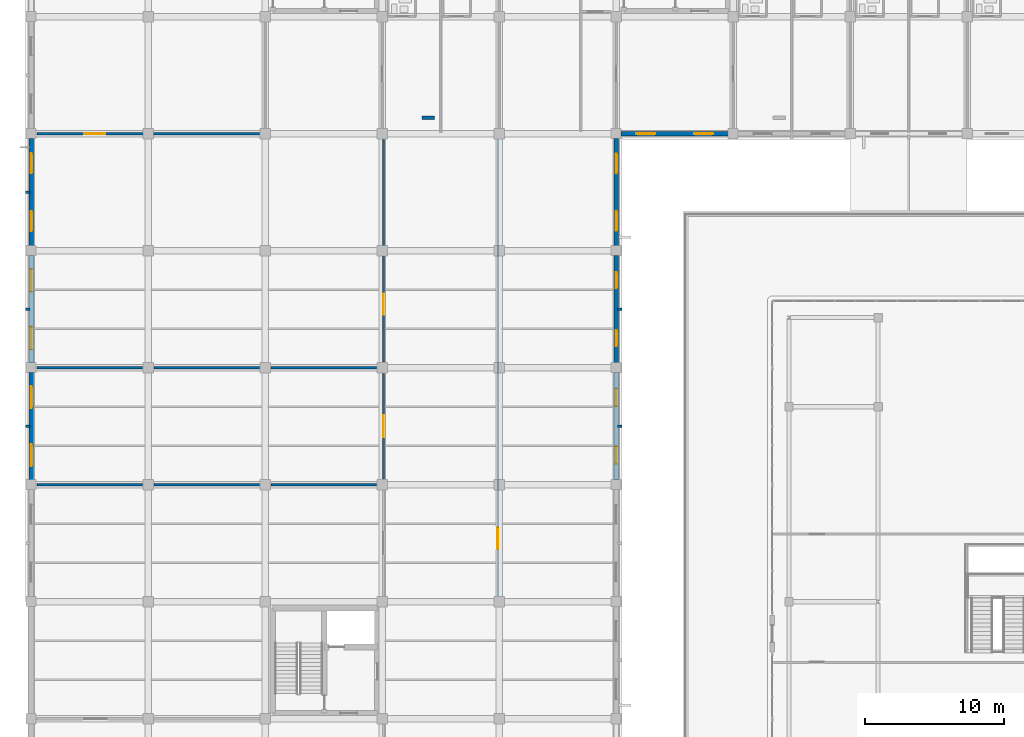
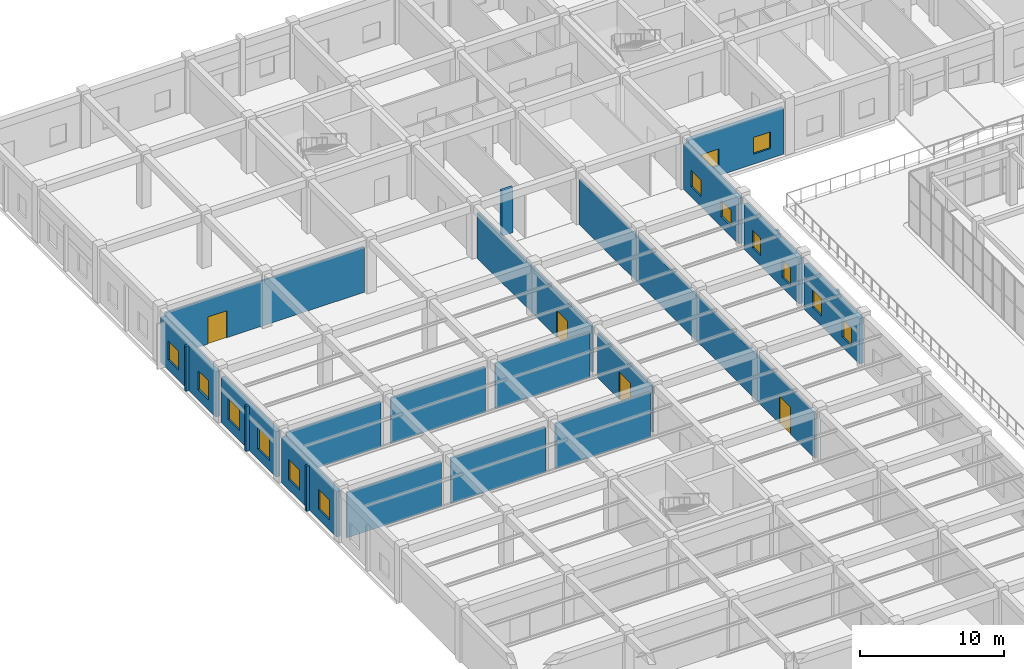
# One storey, part 125 of 158: 23 walls, 14 windows, 4 doors, 18 openings.
"""IFC4 building model written with IfcOpenShell, lengths in metres."""

from ifc_helpers import new_model, si_unit, direction, frame, frame_2d, origin, place, context, subcontext, project, spatial, rectangle, extrude, material, layer, layer_set, type_object, element, fill, save


model = new_model("IFC4")

# Units and contexts
model_context = context("Model", 3, precision=1e-05, world=origin(), true_north=direction((0.0, 1.0)))
body_context = subcontext(model_context, "Body", "Model", "MODEL_VIEW")
ifc_project = project(units=[si_unit("LENGTHUNIT", "METRE"), si_unit("AREAUNIT", "SQUARE_METRE"), si_unit("VOLUMEUNIT", "CUBIC_METRE"), si_unit("PLANEANGLEUNIT", "RADIAN"), si_unit("MASSUNIT", "GRAM", prefix="KILO")], contexts=[model_context])

# Site, building, storey
site_placement = place(None, origin())
site = spatial("IfcSite", under=ifc_project, at=site_placement, CompositionType="ELEMENT")
building_placement = place(site_placement, origin())
building = spatial("IfcBuilding", under=site, at=building_placement, Name="Trelvath General Hospital", CompositionType="ELEMENT")
storey_placement = place(building_placement, frame((0.0, 0.0, 8.10009765625)))
storey = spatial("IfcBuildingStorey", under=building, at=storey_placement, Name="L02", CompositionType="ELEMENT", Elevation=8.10009765625)

# Walls
ifc_material_1 = material(Name="Precast concrete C40/50", Category="concrete")
ifc_layer_1 = layer(ifc_material_1, 0.199951171875)
ifc_layer_set_1 = layer_set([ifc_layer_1], Name="Precast concrete C40/50")
wall_type_1 = type_object("IfcWallType", Name="BriseSoleilRib 200", PredefinedType="ELEMENTEDWALL", material=ifc_layer_set_1)
for number, where, z_axis, x_axis, name in (
    (1, (-0.074951171875, 71.39990234375, 0.0), (0.0, 0.0, 1.0), (-1.0, 0.0, 0.0), "Precast Concrete Brise-Soleil Rib Fin L02-166"),
    (2, (-0.074951171875, 79.800048828125, 0.0), (0.0, 0.0, 1.0), (-1.0, 0.0, 0.0), "Precast Concrete Brise-Soleil Rib Fin L02-167"),
    (3, (-0.074951171875, 88.199951171875, 0.0), (0.0, 0.0, 1.0), (-1.0, 0.0, 0.0), "Precast Concrete Brise-Soleil Rib Fin L02-168"),
    (4, (42.074951171875, 71.39990234375, 0.0), (0.0, 0.0, 1.0), (1.0, 0.0, 0.0), "Precast Concrete Brise-Soleil Rib Fin L02-184"),
    (5, (42.074951171875, 79.800048828125, 0.0), (0.0, 0.0, 1.0), (1.0, 0.0, 0.0), "Precast Concrete Brise-Soleil Rib Fin L02-185"),
):
    element("IfcWall", number, at=place(storey_placement, frame(where, z_axis=z_axis, x_axis=x_axis)), inside=storey, type_object=wall_type_1, Name=name, PredefinedType="ELEMENTEDWALL", context=body_context, shape_type="SweptSolid", body=[
        extrude(rectangle(XDim=0.340087890625, YDim=0.199951171875, at=frame_2d((0.169921875, 0.0))), origin(), (0.0, 0.0, 1.0), 3.83984375),
    ])

# Wall, opening, door
ifc_material_2 = material(Name="Gypsum acoustic steel-stud partition", Category="steel")
ifc_layer_2 = layer(ifc_material_2, 0.14990234375)
ifc_layer_set_2 = layer_set([ifc_layer_2], Name="Gypsum acoustic steel-stud partition")
wall_type_2 = type_object("IfcWallType", Name="ClinicalPartition 150", PredefinedType="PARTITIONING", material=ifc_layer_set_2)
wall_1_placement = place(storey_placement, frame((25.300048828125, 67.60009765625, 0.0), z_axis=(0.0, 0.0, 1.0), x_axis=(0.0, 1.0, 0.0)))
wall_1 = element("IfcWall", 6, at=wall_1_placement, inside=storey, type_object=wall_type_2, Name="OR-8 Partition L02-1032", PredefinedType="PARTITIONING", context=body_context, shape_type="SweptSolid", body=[
    extrude(rectangle(XDim=7.599853515625, YDim=0.14990234375, at=frame_2d((3.7998046875, 0.0))), origin(), (0.0, 0.0, 1.0), 3.83984375),
])
opening_1_placement = place(wall_1_placement, frame((3.0, 0.0, 0.0)))
opening_1 = element("IfcOpeningElement", 7, at=opening_1_placement, cuts=wall_1, Name="Opening D-2-0803", PredefinedType="OPENING", context=body_context, shape_type="SweptSolid", body=[
    extrude(rectangle(XDim=1.60009765625, YDim=2.35009765625, at=frame_2d((0.800048828125, 1.175048828125))), frame((0.0, 0.0849609375, 0.0), z_axis=(0.0, -1.0, 0.0), x_axis=(1.0, 0.0, 0.0)), (0.0, 0.0, 1.0), 0.169921875),
])
ifc_material_3 = material(Name="Hermetic stainless surgical sliding door")
door_type_1 = type_object("IfcDoorType", Name="Door ORHermetic 1600x2350", OperationType="SLIDING_TO_LEFT", PredefinedType="DOOR", material=ifc_material_3)
door_1_placement = place(opening_1_placement, origin())
door_1 = element("IfcDoor", 8, at=door_1_placement, inside=storey, type_object=door_type_1, Name="OR-8 Door L02-803", OperationType="SLIDING_TO_LEFT", OverallHeight=2.35009765625, OverallWidth=1.60009765625, PredefinedType="DOOR", context=body_context, shape_type="SweptSolid", body=[
    extrude(rectangle(XDim=1.60009765625, YDim=2.35009765625, at=frame_2d((0.800048828125, 1.175048828125))), frame((0.0, 0.02490234375, 0.0), z_axis=(0.0, -1.0, 0.0), x_axis=(1.0, 0.0, 0.0)), (0.0, 0.0, 1.0), 0.050048828125),
])
fill(opening_1, door_1)

# Walls
wall_2_placement = place(storey_placement, frame((0.419921875, 67.199951171875, 0.0), z_axis=(0.0, 0.0, 1.0), x_axis=(1.0, 0.0, 0.0)))
element("IfcWall", 9, at=wall_2_placement, inside=storey, type_object=wall_type_2, Name="Sterile OR Dividing Partition 1039", PredefinedType="PARTITIONING", context=body_context, shape_type="SweptSolid", body=[
    extrude(rectangle(XDim=7.580078125, YDim=0.14990234375, at=frame_2d((3.7900390625, 0.0))), origin(), (0.0, 0.0, 1.0), 3.83984375),
])
wall_3_placement = place(storey_placement, frame((8.800048828125, 67.199951171875, 0.0), z_axis=(0.0, 0.0, 1.0), x_axis=(1.0, 0.0, 0.0)))
element("IfcWall", 10, at=wall_3_placement, inside=storey, type_object=wall_type_2, Name="Sterile OR Dividing Partition 1040", PredefinedType="PARTITIONING", context=body_context, shape_type="SweptSolid", body=[
    extrude(rectangle(XDim=7.599853515625, YDim=0.14990234375, at=frame_2d((3.7998046875, 0.0))), origin(), (0.0, 0.0, 1.0), 3.83984375),
])
wall_4_placement = place(storey_placement, frame((17.199951171875, 67.199951171875, 0.0), z_axis=(0.0, 0.0, 1.0), x_axis=(1.0, 0.0, 0.0)))
element("IfcWall", 11, at=wall_4_placement, inside=storey, type_object=wall_type_2, Name="Sterile OR Dividing Partition 1041", PredefinedType="PARTITIONING", context=body_context, shape_type="SweptSolid", body=[
    extrude(rectangle(XDim=7.60009765625, YDim=0.14990234375, at=frame_2d((3.800048828125, 0.0))), origin(), (0.0, 0.0, 1.0), 3.83984375),
])
wall_5_placement = place(storey_placement, frame((0.419921875, 75.60009765625, 0.0), z_axis=(0.0, 0.0, 1.0), x_axis=(1.0, 0.0, 0.0)))
element("IfcWall", 12, at=wall_5_placement, inside=storey, type_object=wall_type_2, Name="Sterile OR Dividing Partition 1042", PredefinedType="PARTITIONING", context=body_context, shape_type="SweptSolid", body=[
    extrude(rectangle(XDim=7.580078125, YDim=0.14990234375, at=frame_2d((3.7900390625, 0.0))), origin(), (0.0, 0.0, 1.0), 3.83984375),
])
wall_6_placement = place(storey_placement, frame((8.800048828125, 75.60009765625, 0.0), z_axis=(0.0, 0.0, 1.0), x_axis=(1.0, 0.0, 0.0)))
element("IfcWall", 13, at=wall_6_placement, inside=storey, type_object=wall_type_2, Name="Sterile OR Dividing Partition 1043", PredefinedType="PARTITIONING", context=body_context, shape_type="SweptSolid", body=[
    extrude(rectangle(XDim=7.599853515625, YDim=0.14990234375, at=frame_2d((3.7998046875, 0.0))), origin(), (0.0, 0.0, 1.0), 3.83984375),
])
wall_7_placement = place(storey_placement, frame((17.199951171875, 75.60009765625, 0.0), z_axis=(0.0, 0.0, 1.0), x_axis=(1.0, 0.0, 0.0)))
element("IfcWall", 14, at=wall_7_placement, inside=storey, type_object=wall_type_2, Name="Sterile OR Dividing Partition 1044", PredefinedType="PARTITIONING", context=body_context, shape_type="SweptSolid", body=[
    extrude(rectangle(XDim=7.60009765625, YDim=0.14990234375, at=frame_2d((3.800048828125, 0.0))), origin(), (0.0, 0.0, 1.0), 3.83984375),
])

# Wall, opening, door
wall_8_placement = place(storey_placement, frame((25.300048828125, 76.0, 0.0), z_axis=(0.0, 0.0, 1.0), x_axis=(0.0, 1.0, 0.0)))
wall_8 = element("IfcWall", 15, at=wall_8_placement, inside=storey, type_object=wall_type_2, Name="ICU-1 Partition L02-1045", PredefinedType="PARTITIONING", context=body_context, shape_type="SweptSolid", body=[
    extrude(rectangle(XDim=16.0, YDim=0.14990234375, at=frame_2d((8.0, 0.0))), origin(), (0.0, 0.0, 1.0), 3.83984375),
])
opening_2_placement = place(wall_8_placement, frame((3.39990234375, 0.0, 0.0)))
opening_2 = element("IfcOpeningElement", 16, at=opening_2_placement, cuts=wall_8, Name="Opening D-2-0804", PredefinedType="OPENING", context=body_context, shape_type="SweptSolid", body=[
    extrude(rectangle(XDim=1.5, YDim=2.300048828125, at=frame_2d((0.75, 1.14990234375))), frame((0.0, 0.0849609375, 0.0), z_axis=(0.0, -1.0, 0.0), x_axis=(1.0, 0.0, 0.0)), (0.0, 0.0, 1.0), 0.169921875),
])
ifc_material_4 = material(Name="Glazed aluminium ICU sliding door", Category="aluminium")
door_type_2 = type_object("IfcDoorType", Name="Door ICUSliding 1500x2300", OperationType="SLIDING_TO_LEFT", PredefinedType="DOOR", material=ifc_material_4)
door_2_placement = place(opening_2_placement, origin())
door_2 = element("IfcDoor", 17, at=door_2_placement, inside=storey, type_object=door_type_2, Name="ICU-1 Door L02-804", OperationType="SLIDING_TO_LEFT", OverallHeight=2.300048828125, OverallWidth=1.5, PredefinedType="DOOR", context=body_context, shape_type="SweptSolid", body=[
    extrude(rectangle(XDim=1.5, YDim=2.300048828125, at=frame_2d((0.75, 1.14990234375))), frame((0.0, 0.02490234375, 0.0), z_axis=(0.0, -1.0, 0.0), x_axis=(1.0, 0.0, 0.0)), (0.0, 0.0, 1.0), 0.050048828125),
])
fill(opening_2, door_2)

wall_9_placement = place(storey_placement, frame((0.419921875, 92.39990234375, 0.0), z_axis=(0.0, 0.0, 1.0), x_axis=(1.0, 0.0, 0.0)))
wall_9 = element("IfcWall", 18, at=wall_9_placement, inside=storey, type_object=wall_type_2, Name="Pediatric ICU Partition L02-1046", PredefinedType="PARTITIONING", context=body_context, shape_type="SweptSolid", body=[
    extrude(rectangle(XDim=15.9599609375, YDim=0.14990234375, at=frame_2d((7.97998046875, 0.0))), origin(), (0.0, 0.0, 1.0), 3.83984375),
])
opening_3_placement = place(wall_9_placement, frame((3.39990234375, 0.0, 0.0)))
opening_3 = element("IfcOpeningElement", 19, at=opening_3_placement, cuts=wall_9, Name="Opening D-2-0805", PredefinedType="OPENING", context=body_context, shape_type="SweptSolid", body=[
    extrude(rectangle(XDim=1.5, YDim=2.300048828125, at=frame_2d((0.75, 1.14990234375))), frame((0.0, 0.0849609375, 0.0), z_axis=(0.0, -1.0, 0.0), x_axis=(1.0, 0.0, 0.0)), (0.0, 0.0, 1.0), 0.169921875),
])
door_3_placement = place(opening_3_placement, origin())
door_3 = element("IfcDoor", 20, at=door_3_placement, inside=storey, type_object=door_type_2, Name="Pediatric ICU Door L02-805", OperationType="SLIDING_TO_LEFT", OverallHeight=2.300048828125, OverallWidth=1.5, PredefinedType="DOOR", context=body_context, shape_type="SweptSolid", body=[
    extrude(rectangle(XDim=1.5, YDim=2.300048828125, at=frame_2d((0.75, 1.14990234375))), frame((0.0, 0.02490234375, 0.0), z_axis=(0.0, -1.0, 0.0), x_axis=(1.0, 0.0, 0.0)), (0.0, 0.0, 1.0), 0.050048828125),
])
fill(opening_3, door_3)

wall_10_placement = place(storey_placement, frame((33.5, 59.199951171875, 0.0), z_axis=(0.0, 0.0, 1.0), x_axis=(0.0, 1.0, 0.0)))
wall_10 = element("IfcWall", 21, at=wall_10_placement, inside=storey, type_object=wall_type_2, Name="ICU-2 Partition L02-1048", PredefinedType="PARTITIONING", context=body_context, shape_type="SweptSolid", body=[
    extrude(rectangle(XDim=32.800048828125, YDim=0.14990234375, at=frame_2d((16.39990234375, 0.0))), origin(), (0.0, 0.0, 1.0), 3.83984375),
])
opening_4_placement = place(wall_10_placement, frame((3.39990234375, 0.0, 0.0)))
opening_4 = element("IfcOpeningElement", 22, at=opening_4_placement, cuts=wall_10, Name="Opening D-2-0807", PredefinedType="OPENING", context=body_context, shape_type="SweptSolid", body=[
    extrude(rectangle(XDim=1.5, YDim=2.300048828125, at=frame_2d((0.75, 1.14990234375))), frame((0.0, 0.0849609375, 0.0), z_axis=(0.0, -1.0, 0.0), x_axis=(1.0, 0.0, 0.0)), (0.0, 0.0, 1.0), 0.169921875),
])
door_4_placement = place(opening_4_placement, origin())
door_4 = element("IfcDoor", 23, at=door_4_placement, inside=storey, type_object=door_type_2, Name="ICU-2 Door L02-807", OperationType="SLIDING_TO_LEFT", OverallHeight=2.300048828125, OverallWidth=1.5, PredefinedType="DOOR", context=body_context, shape_type="SweptSolid", body=[
    extrude(rectangle(XDim=1.5, YDim=2.300048828125, at=frame_2d((0.75, 1.14990234375))), frame((0.0, 0.02490234375, 0.0), z_axis=(0.0, -1.0, 0.0), x_axis=(1.0, 0.0, 0.0)), (0.0, 0.0, 1.0), 0.050048828125),
])
fill(opening_4, door_4)

# Wall, openings, windows
ifc_material_5 = material(Name="Concrete C35/45", Category="concrete")
ifc_layer_3 = layer(ifc_material_5, 0.320068359375)
ifc_layer_set_3 = layer_set([ifc_layer_3], Name="Concrete C35/45")
wall_type_3 = type_object("IfcWallType", Name="ExtThermalWall 320", PredefinedType="SOLIDWALL", material=ifc_layer_set_3)
wall_11_placement = place(storey_placement, frame((0.0, 67.554931640625, 0.0), z_axis=(0.0, 0.0, 1.0), x_axis=(0.0, 1.0, 0.0)))
wall_11 = element("IfcWall", 24, at=wall_11_placement, inside=storey, type_object=wall_type_3, Name="Exterior Concrete Wall L02-229", PredefinedType="SOLIDWALL", context=body_context, shape_type="SweptSolid", body=[
    extrude(rectangle(XDim=7.690185546875, YDim=0.320068359375, at=frame_2d((3.84521484375, 0.0))), origin(), (0.0, 0.0, 1.0), 3.85986328125),
])
opening_5_placement = place(wall_11_placement, frame((0.98876953125, 0.0, 0.85009765625)))
opening_5 = element("IfcOpeningElement", 25, at=opening_5_placement, cuts=wall_11, Name="Opening WN-2-355", PredefinedType="OPENING", context=body_context, shape_type="SweptSolid", body=[
    extrude(rectangle(XDim=1.56005859375, YDim=1.699951171875, at=frame_2d((0.780029296875, 0.85009765625))), frame((0.0, 0.169921875, 0.0), z_axis=(0.0, -1.0, 0.0), x_axis=(1.0, 0.0, 0.0)), (0.0, 0.0, 1.0), 0.340087890625),
])
opening_6_placement = place(wall_11_placement, frame((5.141357421875, 0.0, 0.85009765625)))
opening_6 = element("IfcOpeningElement", 26, at=opening_6_placement, cuts=wall_11, Name="Opening WN-2-356", PredefinedType="OPENING", context=body_context, shape_type="SweptSolid", body=[
    extrude(rectangle(XDim=1.56005859375, YDim=1.699951171875, at=frame_2d((0.780029296875, 0.85009765625))), frame((0.0, 0.169921875, 0.0), z_axis=(0.0, -1.0, 0.0), x_axis=(1.0, 0.0, 0.0)), (0.0, 0.0, 1.0), 0.340087890625),
])
ifc_material_6 = material(Name="Low-E laminated glass", Category="glass")
window_type_1 = type_object("IfcWindowType", Name="Window Dialysis 1560x1700", PartitioningType="DOUBLE_PANEL_VERTICAL", PredefinedType="WINDOW", material=ifc_material_6)
window_1_placement = place(opening_5_placement, origin())
window_1 = element("IfcWindow", 27, at=window_1_placement, inside=storey, type_object=window_type_1, Name="Solar Reveal Window L02-355", OverallHeight=1.699951171875, OverallWidth=1.56005859375, PartitioningType="SINGLE_PANEL", PredefinedType="WINDOW", context=body_context, shape_type="SweptSolid", body=[
    extrude(rectangle(XDim=1.56005859375, YDim=1.699951171875, at=frame_2d((0.780029296875, 0.85009765625))), frame((0.0, 0.030029296875, 0.0), z_axis=(0.0, -1.0, 0.0), x_axis=(1.0, 0.0, 0.0)), (0.0, 0.0, 1.0), 0.06005859375),
])
fill(opening_5, window_1)
window_2_placement = place(opening_6_placement, origin())
window_2 = element("IfcWindow", 28, at=window_2_placement, inside=storey, type_object=window_type_1, Name="Solar Reveal Window L02-356", OverallHeight=1.699951171875, OverallWidth=1.56005859375, PartitioningType="SINGLE_PANEL", PredefinedType="WINDOW", context=body_context, shape_type="SweptSolid", body=[
    extrude(rectangle(XDim=1.56005859375, YDim=1.699951171875, at=frame_2d((0.780029296875, 0.85009765625))), frame((0.0, 0.030029296875, 0.0), z_axis=(0.0, -1.0, 0.0), x_axis=(1.0, 0.0, 0.0)), (0.0, 0.0, 1.0), 0.06005859375),
])
fill(opening_6, window_2)

wall_12_placement = place(storey_placement, frame((0.0, 75.955078125, 0.0), z_axis=(0.0, 0.0, 1.0), x_axis=(0.0, 1.0, 0.0)))
wall_12 = element("IfcWall", 29, at=wall_12_placement, inside=storey, type_object=wall_type_3, Name="Exterior Concrete Wall L02-230", PredefinedType="SOLIDWALL", context=body_context, shape_type="SweptSolid", body=[
    extrude(rectangle(XDim=7.68994140625, YDim=0.320068359375, at=frame_2d((3.844970703125, 0.0))), origin(), (0.0, 0.0, 1.0), 3.85986328125),
])
opening_7_placement = place(wall_12_placement, frame((0.958740234375, 0.0, 0.85009765625)))
opening_7 = element("IfcOpeningElement", 30, at=opening_7_placement, cuts=wall_12, Name="Opening WN-2-357", PredefinedType="OPENING", context=body_context, shape_type="SweptSolid", body=[
    extrude(rectangle(XDim=1.6201171875, YDim=1.800048828125, at=frame_2d((0.81005859375, 0.89990234375))), frame((0.0, 0.169921875, 0.0), z_axis=(0.0, -1.0, 0.0), x_axis=(1.0, 0.0, 0.0)), (0.0, 0.0, 1.0), 0.340087890625),
])
opening_8_placement = place(wall_12_placement, frame((5.111328125, 0.0, 0.85009765625)))
opening_8 = element("IfcOpeningElement", 31, at=opening_8_placement, cuts=wall_12, Name="Opening WN-2-358", PredefinedType="OPENING", context=body_context, shape_type="SweptSolid", body=[
    extrude(rectangle(XDim=1.6201171875, YDim=1.800048828125, at=frame_2d((0.81005859375, 0.89990234375))), frame((0.0, 0.169921875, 0.0), z_axis=(0.0, -1.0, 0.0), x_axis=(1.0, 0.0, 0.0)), (0.0, 0.0, 1.0), 0.340087890625),
])
ifc_material_7 = material(Name="Low-E laminated glass", Category="glass")
window_type_2 = type_object("IfcWindowType", Name="Window Rehab 1620x1800", PartitioningType="DOUBLE_PANEL_VERTICAL", PredefinedType="WINDOW", material=ifc_material_7)
window_3_placement = place(opening_7_placement, origin())
window_3 = element("IfcWindow", 32, at=window_3_placement, inside=storey, type_object=window_type_2, Name="Solar Reveal Window L02-357", OverallHeight=1.800048828125, OverallWidth=1.6201171875, PartitioningType="SINGLE_PANEL", PredefinedType="WINDOW", context=body_context, shape_type="SweptSolid", body=[
    extrude(rectangle(XDim=1.6201171875, YDim=1.800048828125, at=frame_2d((0.81005859375, 0.89990234375))), frame((0.0, 0.030029296875, 0.0), z_axis=(0.0, -1.0, 0.0), x_axis=(1.0, 0.0, 0.0)), (0.0, 0.0, 1.0), 0.06005859375),
])
fill(opening_7, window_3)
window_4_placement = place(opening_8_placement, origin())
window_4 = element("IfcWindow", 33, at=window_4_placement, inside=storey, type_object=window_type_2, Name="Solar Reveal Window L02-358", OverallHeight=1.800048828125, OverallWidth=1.6201171875, PartitioningType="SINGLE_PANEL", PredefinedType="WINDOW", context=body_context, shape_type="SweptSolid", body=[
    extrude(rectangle(XDim=1.6201171875, YDim=1.800048828125, at=frame_2d((0.81005859375, 0.89990234375))), frame((0.0, 0.030029296875, 0.0), z_axis=(0.0, -1.0, 0.0), x_axis=(1.0, 0.0, 0.0)), (0.0, 0.0, 1.0), 0.06005859375),
])
fill(opening_8, window_4)

wall_13_placement = place(storey_placement, frame((0.0, 84.35498046875, 0.0), z_axis=(0.0, 0.0, 1.0), x_axis=(0.0, 1.0, 0.0)))
wall_13 = element("IfcWall", 34, at=wall_13_placement, inside=storey, type_object=wall_type_3, Name="Exterior Concrete Wall L02-231", PredefinedType="SOLIDWALL", context=body_context, shape_type="SweptSolid", body=[
    extrude(rectangle(XDim=7.68994140625, YDim=0.320068359375, at=frame_2d((3.844970703125, 0.0))), origin(), (0.0, 0.0, 1.0), 3.85986328125),
])
opening_9_placement = place(wall_13_placement, frame((1.048583984375, 0.0, 0.85009765625)))
opening_9 = element("IfcOpeningElement", 35, at=opening_9_placement, cuts=wall_13, Name="Opening WN-2-359", PredefinedType="OPENING", context=body_context, shape_type="SweptSolid", body=[
    extrude(rectangle(XDim=1.43994140625, YDim=1.6201171875, at=frame_2d((0.719970703125, 0.81005859375))), frame((0.0, 0.169921875, 0.0), z_axis=(0.0, -1.0, 0.0), x_axis=(1.0, 0.0, 0.0)), (0.0, 0.0, 1.0), 0.340087890625),
])
opening_10_placement = place(wall_13_placement, frame((5.201416015625, 0.0, 0.85009765625)))
opening_10 = element("IfcOpeningElement", 36, at=opening_10_placement, cuts=wall_13, Name="Opening WN-2-360", PredefinedType="OPENING", context=body_context, shape_type="SweptSolid", body=[
    extrude(rectangle(XDim=1.43994140625, YDim=1.6201171875, at=frame_2d((0.719970703125, 0.81005859375))), frame((0.0, 0.169921875, 0.0), z_axis=(0.0, -1.0, 0.0), x_axis=(1.0, 0.0, 0.0)), (0.0, 0.0, 1.0), 0.340087890625),
])
ifc_material_8 = material(Name="Low-E laminated glass", Category="glass")
window_type_3 = type_object("IfcWindowType", Name="Window Maternity 1440x1620", PartitioningType="DOUBLE_PANEL_VERTICAL", PredefinedType="WINDOW", material=ifc_material_8)
window_5_placement = place(opening_9_placement, origin())
window_5 = element("IfcWindow", 37, at=window_5_placement, inside=storey, type_object=window_type_3, Name="Solar Reveal Window L02-359", OverallHeight=1.6201171875, OverallWidth=1.43994140625, PartitioningType="SINGLE_PANEL", PredefinedType="WINDOW", context=body_context, shape_type="SweptSolid", body=[
    extrude(rectangle(XDim=1.43994140625, YDim=1.6201171875, at=frame_2d((0.719970703125, 0.81005859375))), frame((0.0, 0.030029296875, 0.0), z_axis=(0.0, -1.0, 0.0), x_axis=(1.0, 0.0, 0.0)), (0.0, 0.0, 1.0), 0.06005859375),
])
fill(opening_9, window_5)
window_6_placement = place(opening_10_placement, origin())
window_6 = element("IfcWindow", 38, at=window_6_placement, inside=storey, type_object=window_type_3, Name="Solar Reveal Window L02-360", OverallHeight=1.6201171875, OverallWidth=1.43994140625, PartitioningType="SINGLE_PANEL", PredefinedType="WINDOW", context=body_context, shape_type="SweptSolid", body=[
    extrude(rectangle(XDim=1.43994140625, YDim=1.6201171875, at=frame_2d((0.719970703125, 0.81005859375))), frame((0.0, 0.030029296875, 0.0), z_axis=(0.0, -1.0, 0.0), x_axis=(1.0, 0.0, 0.0)), (0.0, 0.0, 1.0), 0.06005859375),
])
fill(opening_10, window_6)

wall_14_placement = place(storey_placement, frame((42.0, 75.2451171875, 0.0), z_axis=(0.0, 0.0, 1.0), x_axis=(0.0, -1.0, 0.0)))
wall_14 = element("IfcWall", 39, at=wall_14_placement, inside=storey, type_object=wall_type_3, Name="Exterior Concrete Wall L02-248", PredefinedType="SOLIDWALL", context=body_context, shape_type="SweptSolid", body=[
    extrude(rectangle(XDim=7.690185546875, YDim=0.320068359375, at=frame_2d((3.84521484375, 0.0))), origin(), (0.0, 0.0, 1.0), 3.85986328125),
])
opening_11_placement = place(wall_14_placement, frame((1.138671875, 0.0, 0.85009765625)))
opening_11 = element("IfcOpeningElement", 40, at=opening_11_placement, cuts=wall_14, Name="Opening WN-2-393", PredefinedType="OPENING", context=body_context, shape_type="SweptSolid", body=[
    extrude(rectangle(XDim=1.260009765625, YDim=1.52001953125, at=frame_2d((0.6298828125, 0.760009765625))), frame((0.0, 0.169921875, 0.0), z_axis=(0.0, -1.0, 0.0), x_axis=(1.0, 0.0, 0.0)), (0.0, 0.0, 1.0), 0.340087890625),
])
opening_12_placement = place(wall_14_placement, frame((5.291259765625, 0.0, 0.85009765625)))
opening_12 = element("IfcOpeningElement", 41, at=opening_12_placement, cuts=wall_14, Name="Opening WN-2-394", PredefinedType="OPENING", context=body_context, shape_type="SweptSolid", body=[
    extrude(rectangle(XDim=1.260009765625, YDim=1.52001953125, at=frame_2d((0.6298828125, 0.760009765625))), frame((0.0, 0.169921875, 0.0), z_axis=(0.0, -1.0, 0.0), x_axis=(1.0, 0.0, 0.0)), (0.0, 0.0, 1.0), 0.340087890625),
])
ifc_material_9 = material(Name="Low-E laminated glass", Category="glass")
window_type_4 = type_object("IfcWindowType", Name="Window Oncology 1260x1520", PartitioningType="SINGLE_PANEL", PredefinedType="WINDOW", material=ifc_material_9)
window_7_placement = place(opening_11_placement, origin())
window_7 = element("IfcWindow", 42, at=window_7_placement, inside=storey, type_object=window_type_4, Name="Solar Reveal Window L02-393", OverallHeight=1.52001953125, OverallWidth=1.260009765625, PartitioningType="SINGLE_PANEL", PredefinedType="WINDOW", context=body_context, shape_type="SweptSolid", body=[
    extrude(rectangle(XDim=1.260009765625, YDim=1.52001953125, at=frame_2d((0.6298828125, 0.760009765625))), frame((0.0, 0.030029296875, 0.0), z_axis=(0.0, -1.0, 0.0), x_axis=(1.0, 0.0, 0.0)), (0.0, 0.0, 1.0), 0.06005859375),
])
fill(opening_11, window_7)
window_8_placement = place(opening_12_placement, origin())
window_8 = element("IfcWindow", 43, at=window_8_placement, inside=storey, type_object=window_type_4, Name="Solar Reveal Window L02-394", OverallHeight=1.52001953125, OverallWidth=1.260009765625, PartitioningType="SINGLE_PANEL", PredefinedType="WINDOW", context=body_context, shape_type="SweptSolid", body=[
    extrude(rectangle(XDim=1.260009765625, YDim=1.52001953125, at=frame_2d((0.6298828125, 0.760009765625))), frame((0.0, 0.030029296875, 0.0), z_axis=(0.0, -1.0, 0.0), x_axis=(1.0, 0.0, 0.0)), (0.0, 0.0, 1.0), 0.06005859375),
])
fill(opening_12, window_8)

wall_15_placement = place(storey_placement, frame((42.0, 83.64501953125, 0.0), z_axis=(0.0, 0.0, 1.0), x_axis=(0.0, -1.0, 0.0)))
wall_15 = element("IfcWall", 44, at=wall_15_placement, inside=storey, type_object=wall_type_3, Name="Exterior Concrete Wall L02-249", PredefinedType="SOLIDWALL", context=body_context, shape_type="SweptSolid", body=[
    extrude(rectangle(XDim=7.68994140625, YDim=0.320068359375, at=frame_2d((3.844970703125, 0.0))), origin(), (0.0, 0.0, 1.0), 3.85986328125),
])
opening_13_placement = place(wall_15_placement, frame((1.188720703125, 0.0, 0.85009765625)))
opening_13 = element("IfcOpeningElement", 45, at=opening_13_placement, cuts=wall_15, Name="Opening WN-2-395", PredefinedType="OPENING", context=body_context, shape_type="SweptSolid", body=[
    extrude(rectangle(XDim=1.159912109375, YDim=1.47998046875, at=frame_2d((0.580078125, 0.739990234375))), frame((0.0, 0.169921875, 0.0), z_axis=(0.0, -1.0, 0.0), x_axis=(1.0, 0.0, 0.0)), (0.0, 0.0, 1.0), 0.340087890625),
])
opening_14_placement = place(wall_15_placement, frame((5.34130859375, 0.0, 0.85009765625)))
opening_14 = element("IfcOpeningElement", 46, at=opening_14_placement, cuts=wall_15, Name="Opening WN-2-396", PredefinedType="OPENING", context=body_context, shape_type="SweptSolid", body=[
    extrude(rectangle(XDim=1.159912109375, YDim=1.47998046875, at=frame_2d((0.580078125, 0.739990234375))), frame((0.0, 0.169921875, 0.0), z_axis=(0.0, -1.0, 0.0), x_axis=(1.0, 0.0, 0.0)), (0.0, 0.0, 1.0), 0.340087890625),
])
ifc_material_10 = material(Name="Low-E laminated glass", Category="glass")
window_type_5 = type_object("IfcWindowType", Name="Window Cardiology 1160x1480", PartitioningType="SINGLE_PANEL", PredefinedType="WINDOW", material=ifc_material_10)
window_9_placement = place(opening_13_placement, origin())
window_9 = element("IfcWindow", 47, at=window_9_placement, inside=storey, type_object=window_type_5, Name="Solar Reveal Window L02-395", OverallHeight=1.47998046875, OverallWidth=1.159912109375, PartitioningType="SINGLE_PANEL", PredefinedType="WINDOW", context=body_context, shape_type="SweptSolid", body=[
    extrude(rectangle(XDim=1.159912109375, YDim=1.47998046875, at=frame_2d((0.580078125, 0.739990234375))), frame((0.0, 0.030029296875, 0.0), z_axis=(0.0, -1.0, 0.0), x_axis=(1.0, 0.0, 0.0)), (0.0, 0.0, 1.0), 0.06005859375),
])
fill(opening_13, window_9)
window_10_placement = place(opening_14_placement, origin())
window_10 = element("IfcWindow", 48, at=window_10_placement, inside=storey, type_object=window_type_5, Name="Solar Reveal Window L02-396", OverallHeight=1.47998046875, OverallWidth=1.159912109375, PartitioningType="SINGLE_PANEL", PredefinedType="WINDOW", context=body_context, shape_type="SweptSolid", body=[
    extrude(rectangle(XDim=1.159912109375, YDim=1.47998046875, at=frame_2d((0.580078125, 0.739990234375))), frame((0.0, 0.030029296875, 0.0), z_axis=(0.0, -1.0, 0.0), x_axis=(1.0, 0.0, 0.0)), (0.0, 0.0, 1.0), 0.06005859375),
])
fill(opening_14, window_10)

wall_16_placement = place(storey_placement, frame((42.0, 92.044921875, 0.0), z_axis=(0.0, 0.0, 1.0), x_axis=(0.0, -1.0, 0.0)))
wall_16 = element("IfcWall", 49, at=wall_16_placement, inside=storey, type_object=wall_type_3, Name="Exterior Concrete Wall L02-250", PredefinedType="SOLIDWALL", context=body_context, shape_type="SweptSolid", body=[
    extrude(rectangle(XDim=7.68994140625, YDim=0.320068359375, at=frame_2d((3.844970703125, 0.0))), origin(), (0.0, 0.0, 1.0), 3.85986328125),
])
opening_15_placement = place(wall_16_placement, frame((1.068603515625, 0.0, 0.85009765625)))
opening_15 = element("IfcOpeningElement", 50, at=opening_15_placement, cuts=wall_16, Name="Opening WN-2-397", PredefinedType="OPENING", context=body_context, shape_type="SweptSolid", body=[
    extrude(rectangle(XDim=1.39990234375, YDim=1.39990234375, at=frame_2d((0.699951171875, 0.699951171875))), frame((0.0, 0.169921875, 0.0), z_axis=(0.0, -1.0, 0.0), x_axis=(1.0, 0.0, 0.0)), (0.0, 0.0, 1.0), 0.340087890625),
])
opening_16_placement = place(wall_16_placement, frame((5.22119140625, 0.0, 0.85009765625)))
opening_16 = element("IfcOpeningElement", 51, at=opening_16_placement, cuts=wall_16, Name="Opening WN-2-398", PredefinedType="OPENING", context=body_context, shape_type="SweptSolid", body=[
    extrude(rectangle(XDim=1.39990234375, YDim=1.39990234375, at=frame_2d((0.699951171875, 0.699951171875))), frame((0.0, 0.169921875, 0.0), z_axis=(0.0, -1.0, 0.0), x_axis=(1.0, 0.0, 0.0)), (0.0, 0.0, 1.0), 0.340087890625),
])
ifc_material_11 = material(Name="Low-E laminated glass", Category="glass")
window_type_6 = type_object("IfcWindowType", Name="Window Surgical 1400x1400", PartitioningType="DOUBLE_PANEL_VERTICAL", PredefinedType="WINDOW", material=ifc_material_11)
window_11_placement = place(opening_15_placement, origin())
window_11 = element("IfcWindow", 52, at=window_11_placement, inside=storey, type_object=window_type_6, Name="Solar Reveal Window L02-397", OverallHeight=1.39990234375, OverallWidth=1.39990234375, PartitioningType="SINGLE_PANEL", PredefinedType="WINDOW", context=body_context, shape_type="SweptSolid", body=[
    extrude(rectangle(XDim=1.39990234375, YDim=1.39990234375, at=frame_2d((0.699951171875, 0.699951171875))), frame((0.0, 0.030029296875, 0.0), z_axis=(0.0, -1.0, 0.0), x_axis=(1.0, 0.0, 0.0)), (0.0, 0.0, 1.0), 0.06005859375),
])
fill(opening_15, window_11)
window_12_placement = place(opening_16_placement, origin())
window_12 = element("IfcWindow", 53, at=window_12_placement, inside=storey, type_object=window_type_6, Name="Solar Reveal Window L02-398", OverallHeight=1.39990234375, OverallWidth=1.39990234375, PartitioningType="SINGLE_PANEL", PredefinedType="WINDOW", context=body_context, shape_type="SweptSolid", body=[
    extrude(rectangle(XDim=1.39990234375, YDim=1.39990234375, at=frame_2d((0.699951171875, 0.699951171875))), frame((0.0, 0.030029296875, 0.0), z_axis=(0.0, -1.0, 0.0), x_axis=(1.0, 0.0, 0.0)), (0.0, 0.0, 1.0), 0.06005859375),
])
fill(opening_16, window_12)

wall_17_placement = place(storey_placement, frame((50.044921875, 92.39990234375, 0.0), z_axis=(0.0, 0.0, 1.0), x_axis=(-1.0, 0.0, 0.0)))
wall_17 = element("IfcWall", 54, at=wall_17_placement, inside=storey, type_object=wall_type_3, Name="Exterior Concrete Wall L02-253", PredefinedType="SOLIDWALL", context=body_context, shape_type="SweptSolid", body=[
    extrude(rectangle(XDim=7.68994140625, YDim=0.320068359375, at=frame_2d((3.844970703125, 0.0))), origin(), (0.0, 0.0, 1.0), 3.85986328125),
])
opening_17_placement = place(wall_17_placement, frame((1.088623046875, 0.0, 0.85009765625)))
opening_17 = element("IfcOpeningElement", 55, at=opening_17_placement, cuts=wall_17, Name="Opening WN-2-403", PredefinedType="OPENING", context=body_context, shape_type="SweptSolid", body=[
    extrude(rectangle(XDim=1.360107421875, YDim=1.419921875, at=frame_2d((0.68017578125, 0.7099609375))), frame((0.0, 0.169921875, 0.0), z_axis=(0.0, -1.0, 0.0), x_axis=(1.0, 0.0, 0.0)), (0.0, 0.0, 1.0), 0.340087890625),
])
opening_18_placement = place(wall_17_placement, frame((5.2412109375, 0.0, 0.85009765625)))
opening_18 = element("IfcOpeningElement", 56, at=opening_18_placement, cuts=wall_17, Name="Opening WN-2-404", PredefinedType="OPENING", context=body_context, shape_type="SweptSolid", body=[
    extrude(rectangle(XDim=1.360107421875, YDim=1.419921875, at=frame_2d((0.68017578125, 0.7099609375))), frame((0.0, 0.169921875, 0.0), z_axis=(0.0, -1.0, 0.0), x_axis=(1.0, 0.0, 0.0)), (0.0, 0.0, 1.0), 0.340087890625),
])
ifc_material_12 = material(Name="Low-E laminated glass", Category="glass")
window_type_7 = type_object("IfcWindowType", Name="Window Pathology 1360x1420", PartitioningType="DOUBLE_PANEL_VERTICAL", PredefinedType="WINDOW", material=ifc_material_12)
window_13_placement = place(opening_17_placement, origin())
window_13 = element("IfcWindow", 57, at=window_13_placement, inside=storey, type_object=window_type_7, Name="Solar Reveal Window L02-403", OverallHeight=1.419921875, OverallWidth=1.360107421875, PartitioningType="SINGLE_PANEL", PredefinedType="WINDOW", context=body_context, shape_type="SweptSolid", body=[
    extrude(rectangle(XDim=1.360107421875, YDim=1.419921875, at=frame_2d((0.68017578125, 0.7099609375))), frame((0.0, 0.030029296875, 0.0), z_axis=(0.0, -1.0, 0.0), x_axis=(1.0, 0.0, 0.0)), (0.0, 0.0, 1.0), 0.06005859375),
])
fill(opening_17, window_13)
window_14_placement = place(opening_18_placement, origin())
window_14 = element("IfcWindow", 58, at=window_14_placement, inside=storey, type_object=window_type_7, Name="Solar Reveal Window L02-404", OverallHeight=1.419921875, OverallWidth=1.360107421875, PartitioningType="SINGLE_PANEL", PredefinedType="WINDOW", context=body_context, shape_type="SweptSolid", body=[
    extrude(rectangle(XDim=1.360107421875, YDim=1.419921875, at=frame_2d((0.68017578125, 0.7099609375))), frame((0.0, 0.030029296875, 0.0), z_axis=(0.0, -1.0, 0.0), x_axis=(1.0, 0.0, 0.0)), (0.0, 0.0, 1.0), 0.06005859375),
])
fill(opening_18, window_14)

# Wall
ifc_material_13 = material(Name="Masonry service chase blockwork", Category="masonry")
ifc_layer_4 = layer(ifc_material_13, 0.239990234375)
ifc_layer_set_4 = layer_set([ifc_layer_4], Name="Masonry service chase blockwork")
wall_type_4 = type_object("IfcWallType", Name="PlumbingChaseWall 240", PredefinedType="PLUMBINGWALL", material=ifc_layer_set_4)
wall_18_placement = place(storey_placement, frame((28.050048828125, 93.550048828125, 0.0), z_axis=(0.0, 0.0, 1.0), x_axis=(1.0, 0.0, 0.0)))
element("IfcWall", 59, at=wall_18_placement, inside=storey, type_object=wall_type_4, Name="Medical Gas Plumbing Chase L02-866", PredefinedType="PLUMBINGWALL", context=body_context, shape_type="SweptSolid", body=[
    extrude(rectangle(XDim=0.89990234375, YDim=0.239990234375, at=frame_2d((0.449951171875, 0.0))), origin(), (0.0, 0.0, 1.0), 3.83984375),
])

save(model, "model.ifc")
